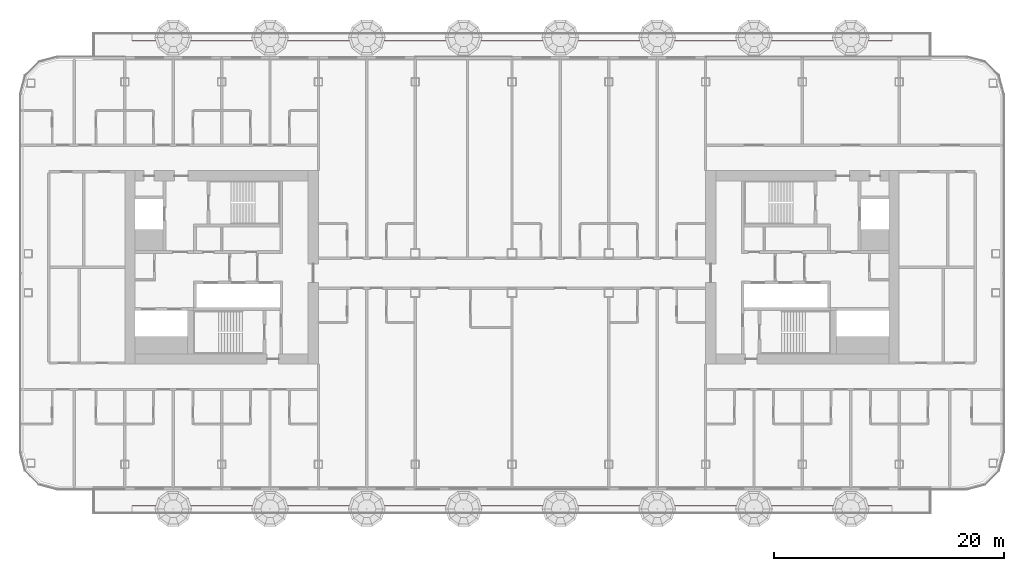
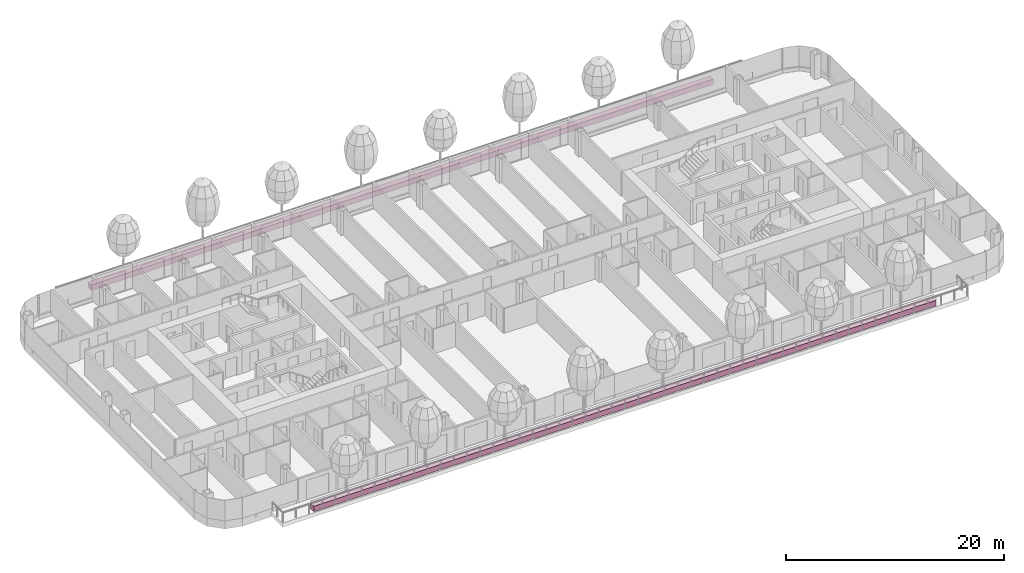
# One storey, part 28 of 32: 2 furniture elements.
"""IFC4 building model written with IfcOpenShell, lengths in metres."""

from ifc_helpers import new_model, si_unit, direction, frame, origin, origin_2d, place, context, subcontext, project, spatial, rectangle, extrude, material, type_object, element, save


model = new_model("IFC4")

# Units and contexts
model_context = context("Model", 3, precision=1e-05, world=origin(), true_north=direction((0.0, 1.0)))
body_context = subcontext(model_context, "Body", "Model", "MODEL_VIEW")
ifc_project = project(units=[si_unit("LENGTHUNIT", "METRE"), si_unit("AREAUNIT", "SQUARE_METRE"), si_unit("VOLUMEUNIT", "CUBIC_METRE"), si_unit("PLANEANGLEUNIT", "RADIAN"), si_unit("MASSUNIT", "GRAM", prefix="KILO")], contexts=[model_context])

# Site, building, storey
site_placement = place(None, origin())
site = spatial("IfcSite", under=ifc_project, at=site_placement, CompositionType="ELEMENT")
building_placement = place(site_placement, origin())
building = spatial("IfcBuilding", under=site, at=building_placement, Name="Hakoniwa Tower and Hamabe Station Hall", CompositionType="ELEMENT")
storey_placement = place(building_placement, frame((0.0, 0.0, 150.199951171875)))
storey = spatial("IfcBuildingStorey", under=building, at=storey_placement, Name="L42", CompositionType="ELEMENT", Elevation=150.199951171875)

# Furniture
ifc_material = material(Name="Aluminium 6063-T5 black anodised trough with lightweight soil", Category="aluminium")
furniture_type = type_object("IfcFurnitureType", Name="Planter 600x600", AssemblyPlace="SITE", PredefinedType="USERDEFINED", material=ifc_material)
for number, where, z_axis, x_axis, name in (
    (1, (0.0, 19.949951171875, 0.0), (0.0, 0.0, 1.0), (1.0, 0.0, 0.0), "Planter 600x600"),
    (2, (0.0, -20.949951171875, 0.0), (0.0, 0.0, 1.0), (1.0, 0.0, 0.0), "Planter 600x600"),
):
    element("IfcFurniture", number, at=place(storey_placement, frame(where, z_axis=z_axis, x_axis=x_axis)), inside=storey, type_object=furniture_type, Name=name, ObjectType="PLANTER", PredefinedType="USERDEFINED", context=body_context, shape_type="SweptSolid", body=[
        extrude(rectangle(XDim=66.0, YDim=0.60009765625, at=origin_2d()), origin(), (0.0, 0.0, 1.0), 0.60009765625),
    ])

save(model, "model.ifc")
